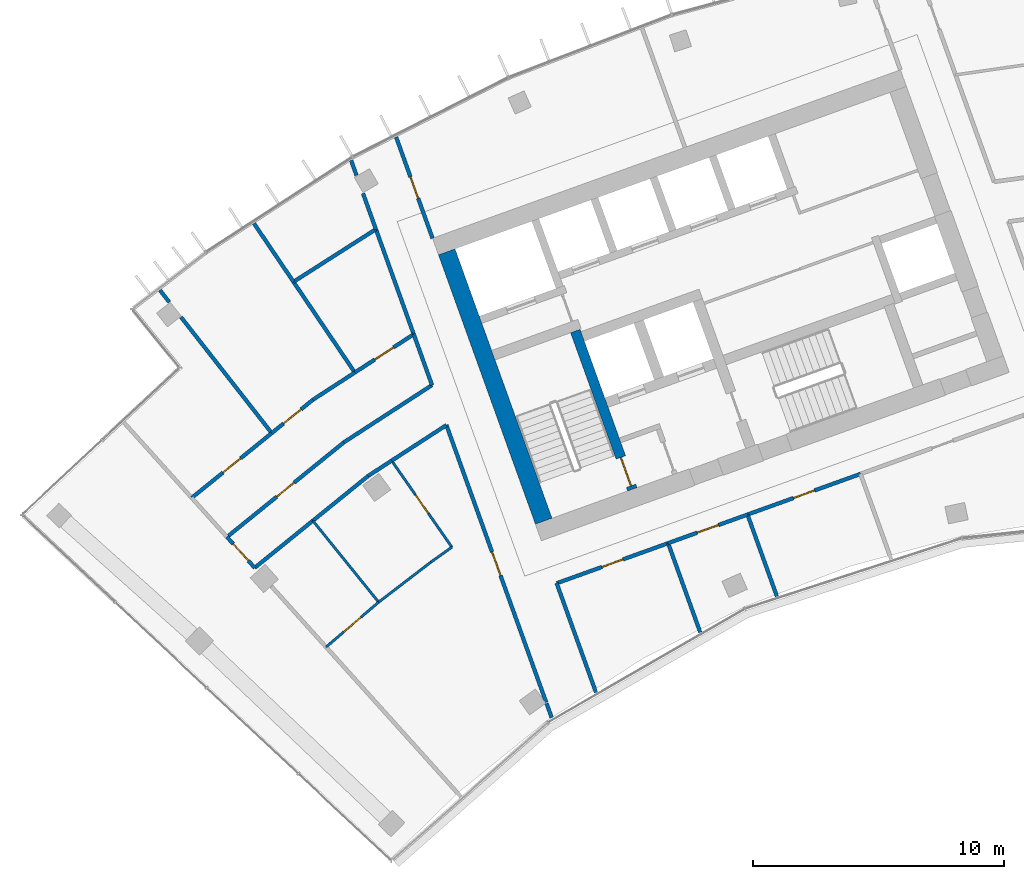
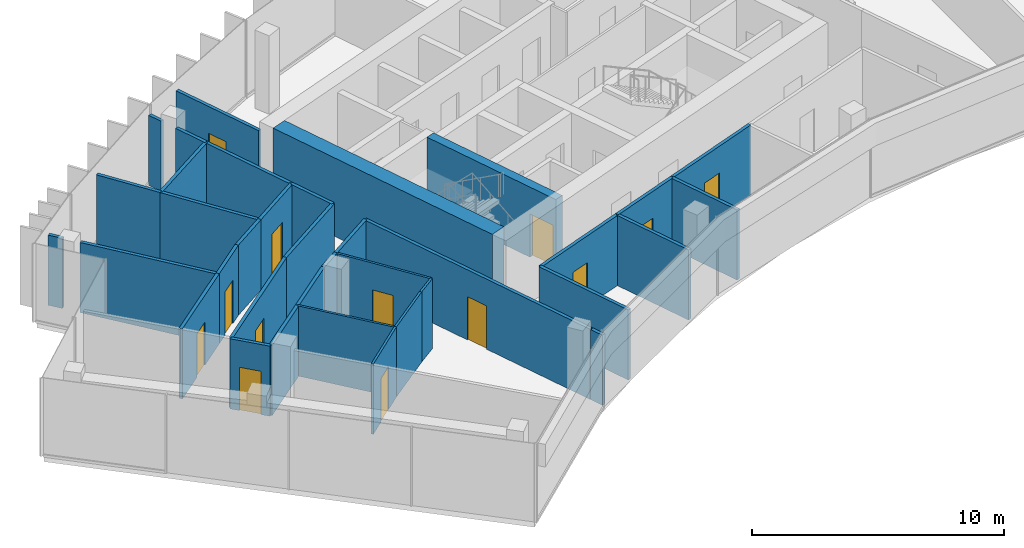
# One storey, part 13 of 19: 36 walls, 13 doors, 13 openings.
"""IFC4 building model written with IfcOpenShell, lengths in metres."""

from ifc_helpers import new_model, si_unit, direction, frame, frame_2d, origin, place, context, subcontext, project, spatial, rectangle, extrude, material, layer, layer_set, type_object, element, fill, save


model = new_model("IFC4")

# Units and contexts
model_context = context("Model", 3, precision=1e-05, world=origin(), true_north=direction((0.0, 1.0)))
body_context = subcontext(model_context, "Body", "Model", "MODEL_VIEW")
ifc_project = project(units=[si_unit("LENGTHUNIT", "METRE"), si_unit("AREAUNIT", "SQUARE_METRE"), si_unit("VOLUMEUNIT", "CUBIC_METRE"), si_unit("PLANEANGLEUNIT", "RADIAN"), si_unit("MASSUNIT", "GRAM", prefix="KILO")], contexts=[model_context])

# Site, building, storey
site_placement = place(None, origin())
site = spatial("IfcSite", under=ifc_project, at=site_placement, CompositionType="ELEMENT")
building_placement = place(site_placement, origin())
building = spatial("IfcBuilding", under=site, at=building_placement, Name="Stone Belt Terrace Tower", CompositionType="ELEMENT")
storey_placement = place(building_placement, frame((0.0, 0.0, 303.60009765625)))
storey = spatial("IfcBuildingStorey", under=building, at=storey_placement, Name="L74", CompositionType="ELEMENT", Elevation=303.60009765625)

# Wall
ifc_material_1 = material(Name="Concrete B60", Category="concrete")
ifc_layer_1 = layer(ifc_material_1, 0.699951171875)
ifc_layer_set_1 = layer_set([ifc_layer_1], Name="Core wall 700 B60")
wall_type_1 = type_object("IfcWallType", Name="Core wall 700 B60", PredefinedType="SHEAR", material=ifc_layer_set_1)
wall_1_placement = place(storey_placement, frame((-25.679931640625, 43.153564453125, 0.0), z_axis=(0.0, 0.0, 1.0), x_axis=(-0.338625431531, 0.940921259788, 0.0)))
element("IfcWall", 1, at=wall_1_placement, inside=storey, type_object=wall_type_1, Name="Core A wall end_a L74", PredefinedType="SHEAR", context=body_context, shape_type="SweptSolid", body=[
    extrude(rectangle(XDim=11.400146484375, YDim=0.699951171875, at=frame_2d((5.7001953125, 0.0))), origin(), (0.0, 0.0, 1.0), 3.7998046875),
])

# Wall, opening, door
ifc_material_2 = material(Name="Gypsum board partition")
ifc_layer_2 = layer(ifc_material_2, 0.10009765625)
ifc_layer_set_2 = layer_set([ifc_layer_2], Name="PARTITION 100")
wall_type_2 = type_object("IfcWallType", Name="PARTITION 100", PredefinedType="PARTITIONING", material=ifc_layer_set_2)
wall_2_placement = place(storey_placement, frame((-34.345947265625, 38.14501953125, 0.0), z_axis=(0.0, 0.0, 1.0), x_axis=(0.760714101822, 0.649087093763, 0.0)))
wall_2 = element("IfcWall", 2, at=wall_2_placement, inside=storey, type_object=wall_type_2, Name="L74/wall/i053", PredefinedType="PARTITIONING", context=body_context, shape_type="SweptSolid", body=[
    extrude(rectangle(XDim=2.75146484375, YDim=0.10009765625, at=frame_2d((1.375732421875, 0.0))), origin(), (0.0, 0.0, 1.0), 3.39990234375),
])
opening_1_placement = place(wall_2_placement, frame((0.92578125, 0.0, 0.0)))
opening_1 = element("IfcOpeningElement", 3, at=opening_1_placement, cuts=wall_2, Name="Opening D-E5-15", PredefinedType="OPENING", context=body_context, shape_type="SweptSolid", body=[
    extrude(rectangle(XDim=0.89990234375, YDim=2.10009765625, at=frame_2d((0.449951171875, 1.050048828125))), frame((0.0, 0.06005859375, 0.0), z_axis=(0.0, -1.0, 0.0), x_axis=(1.0, 0.0, 0.0)), (0.0, 0.0, 1.0), 0.1201171875),
])
ifc_material_3 = material(Name="Timber door leaf", Category="wood")
door_type_1 = type_object("IfcDoorType", Name="OFFICE DOOR 900 X 2100", OperationType="NOTDEFINED", PredefinedType="DOOR", material=ifc_material_3)
door_1_placement = place(opening_1_placement, origin())
door_1 = element("IfcDoor", 4, at=door_1_placement, inside=storey, type_object=door_type_1, Name="L74/door/i15", OperationType="SINGLE_SWING_RIGHT", OverallHeight=2.10009765625, OverallWidth=0.89990234375, PredefinedType="DOOR", context=body_context, shape_type="SweptSolid", body=[
    extrude(rectangle(XDim=0.89990234375, YDim=2.10009765625, at=frame_2d((0.449951171875, 1.050048828125))), frame((0.0, 0.02490234375, 0.0), z_axis=(0.0, -1.0, 0.0), x_axis=(1.0, 0.0, 0.0)), (0.0, 0.0, 1.0), 0.050048828125),
])
fill(opening_1, door_1)

# Walls
wall_3_placement = place(storey_placement, frame((-32.2529296875, 39.930908203125, 0.0), z_axis=(0.0, 0.0, 1.0), x_axis=(0.793612352495, 0.608423728965, 0.0)))
element("IfcWall", 5, at=wall_3_placement, inside=storey, type_object=wall_type_2, Name="L74/wall/i054", PredefinedType="PARTITIONING", context=body_context, shape_type="SweptSolid", body=[
    extrude(rectangle(XDim=2.62353515625, YDim=0.10009765625, at=frame_2d((1.311767578125, 0.0))), origin(), (0.0, 0.0, 1.0), 3.39990234375),
])
wall_4_placement = place(storey_placement, frame((-30.1708984375, 41.527099609375, 0.0), z_axis=(0.0, 0.0, 1.0), x_axis=(0.814842783231, 0.579682015088, 0.0)))
element("IfcWall", 6, at=wall_4_placement, inside=storey, type_object=wall_type_2, Name="L74/wall/i055", PredefinedType="PARTITIONING", context=body_context, shape_type="SweptSolid", body=[
    extrude(rectangle(XDim=1.024658203125, YDim=0.10009765625, at=frame_2d((0.51220703125, 0.0))), origin(), (0.0, 0.0, 1.0), 3.39990234375),
])

# Wall, opening, door
wall_5_placement = place(storey_placement, frame((-29.3359375, 42.12109375, 0.0), z_axis=(0.0, 0.0, 1.0), x_axis=(-0.571618252219, 0.820519697344, 0.0)))
wall_5 = element("IfcWall", 7, at=wall_5_placement, inside=storey, type_object=wall_type_2, Name="L74/wall/i056", PredefinedType="PARTITIONING", context=body_context, shape_type="SweptSolid", body=[
    extrude(rectangle(XDim=4.197265625, YDim=0.10009765625, at=frame_2d((2.0986328125, 0.0))), origin(), (0.0, 0.0, 1.0), 3.39990234375),
])
opening_2_placement = place(wall_5_placement, frame((1.648681640625, 0.0, 0.0)))
opening_2 = element("IfcOpeningElement", 8, at=opening_2_placement, cuts=wall_5, Name="Opening D-E5-16", PredefinedType="OPENING", context=body_context, shape_type="SweptSolid", body=[
    extrude(rectangle(XDim=0.89990234375, YDim=2.10009765625, at=frame_2d((0.449951171875, 1.050048828125))), frame((0.0, 0.06005859375, 0.0), z_axis=(0.0, -1.0, 0.0), x_axis=(1.0, 0.0, 0.0)), (0.0, 0.0, 1.0), 0.1201171875),
])
door_2_placement = place(opening_2_placement, origin())
door_2 = element("IfcDoor", 9, at=door_2_placement, inside=storey, type_object=door_type_1, Name="L74/door/i16", OperationType="SINGLE_SWING_RIGHT", OverallHeight=2.10009765625, OverallWidth=0.89990234375, PredefinedType="DOOR", context=body_context, shape_type="SweptSolid", body=[
    extrude(rectangle(XDim=0.89990234375, YDim=2.10009765625, at=frame_2d((0.449951171875, 1.050048828125))), frame((0.0, 0.02490234375, 0.0), z_axis=(0.0, -1.0, 0.0), x_axis=(1.0, 0.0, 0.0)), (0.0, 0.0, 1.0), 0.050048828125),
])
fill(opening_2, door_2)

# Walls
wall_6_placement = place(storey_placement, frame((-34.873046875, 43.174072265625, 0.0), z_axis=(0.0, 0.0, 1.0), x_axis=(0.628429786717, -0.777866314457, 0.0)))
element("IfcWall", 10, at=wall_6_placement, inside=storey, type_object=wall_type_2, Name="L74/wall/i057", PredefinedType="PARTITIONING", context=body_context, shape_type="SweptSolid", body=[
    extrude(rectangle(XDim=4.169189453125, YDim=0.10009765625, at=frame_2d((2.08447265625, 0.0))), origin(), (0.0, 0.0, 1.0), 3.39990234375),
])
ifc_layer_3 = layer(ifc_material_2, 0.14990234375)
ifc_layer_set_3 = layer_set([ifc_layer_3], Name="PARTITION 150 EI 60")
wall_type_3 = type_object("IfcWallType", Name="PARTITION 150 EI 60", PredefinedType="PARTITIONING", material=ifc_layer_set_3)
wall_7_placement = place(storey_placement, frame((-25.1650390625, 40.68896484375, 0.0), z_axis=(0.0, 0.0, 1.0), x_axis=(0.338609342271, -0.94092704995, 0.0)))
element("IfcWall", 11, at=wall_7_placement, inside=storey, type_object=wall_type_3, Name="L74/wall/i001", PredefinedType="PARTITIONING", context=body_context, shape_type="SweptSolid", body=[
    extrude(rectangle(XDim=4.6318359375, YDim=0.14990234375, at=frame_2d((2.31591796875, 0.0))), origin(), (0.0, 0.0, 1.0), 3.39990234375),
])

# Wall, opening, door
wall_8_placement = place(storey_placement, frame((-31.556884765625, 58.4521484375, 0.0), z_axis=(0.0, 0.0, 1.0), x_axis=(0.338580264222, -0.940937513695, 0.0)))
wall_8 = element("IfcWall", 12, at=wall_8_placement, inside=storey, type_object=wall_type_3, Name="L74/wall/i002", PredefinedType="PARTITIONING", context=body_context, shape_type="SweptSolid", body=[
    extrude(rectangle(XDim=4.285400390625, YDim=0.14990234375, at=frame_2d((2.142578125, 0.0))), origin(), (0.0, 0.0, 1.0), 3.39990234375),
])
opening_3_placement = place(wall_8_placement, frame((1.692626953125, 0.0, 0.0)))
opening_3 = element("IfcOpeningElement", 13, at=opening_3_placement, cuts=wall_8, Name="Opening D-E5-05", PredefinedType="OPENING", context=body_context, shape_type="SweptSolid", body=[
    extrude(rectangle(XDim=0.89990234375, YDim=2.10009765625, at=frame_2d((0.449951171875, 1.050048828125))), frame((0.0, 0.0849609375, 0.0), z_axis=(0.0, -1.0, 0.0), x_axis=(1.0, 0.0, 0.0)), (0.0, 0.0, 1.0), 0.169921875),
])
door_3_placement = place(opening_3_placement, origin())
door_3 = element("IfcDoor", 14, at=door_3_placement, inside=storey, type_object=door_type_1, Name="L74/door/i05", OperationType="SINGLE_SWING_RIGHT", OverallHeight=2.10009765625, OverallWidth=0.89990234375, PredefinedType="DOOR", context=body_context, shape_type="SweptSolid", body=[
    extrude(rectangle(XDim=0.89990234375, YDim=2.10009765625, at=frame_2d((0.449951171875, 1.050048828125))), frame((0.0, 0.02490234375, 0.0), z_axis=(0.0, -1.0, 0.0), x_axis=(1.0, 0.0, 0.0)), (0.0, 0.0, 1.0), 0.050048828125),
])
fill(opening_3, door_3)

# Wall
wall_9_placement = place(storey_placement, frame((-25.361083984375, 35.329833984375, 0.0), z_axis=(0.0, 0.0, 1.0), x_axis=(-0.338633814852, 0.940918242696, 0.0)))
element("IfcWall", 15, at=wall_9_placement, inside=storey, type_object=wall_type_3, Name="L74/wall/i003", PredefinedType="PARTITIONING", context=body_context, shape_type="SweptSolid", body=[
    extrude(rectangle(XDim=0.605712890625, YDim=0.14990234375, at=frame_2d((0.302734375, 0.0))), origin(), (0.0, 0.0, 1.0), 3.39990234375),
])

# Wall, opening, door
wall_10_placement = place(storey_placement, frame((-25.5810546875, 35.94091796875, 0.0), z_axis=(0.0, 0.0, 1.0), x_axis=(-0.338660555828, 0.940908618265, 0.0)))
wall_10 = element("IfcWall", 16, at=wall_10_placement, inside=storey, type_object=wall_type_3, Name="L74/wall/i004", PredefinedType="PARTITIONING", context=body_context, shape_type="SweptSolid", body=[
    extrude(rectangle(XDim=11.73974609375, YDim=0.14990234375, at=frame_2d((5.869873046875, 0.0))), origin(), (0.0, 0.0, 1.0), 3.39990234375),
])
opening_4_placement = place(wall_10_placement, frame((5.369873046875, 0.0, 0.0)))
opening_4 = element("IfcOpeningElement", 17, at=opening_4_placement, cuts=wall_10, Name="Opening D-E5-14", PredefinedType="OPENING", context=body_context, shape_type="SweptSolid", body=[
    extrude(rectangle(XDim=1.0, YDim=2.10009765625, at=frame_2d((0.5, 1.050048828125))), frame((0.0, 0.0849609375, 0.0), z_axis=(0.0, -1.0, 0.0), x_axis=(1.0, 0.0, 0.0)), (0.0, 0.0, 1.0), 0.169921875),
])
ifc_material_4 = material(Name="Timber fire door leaf", Category="wood")
door_type_2 = type_object("IfcDoorType", Name="TENANCY ENTRANCE DOOR 1000 X 2100", OperationType="NOTDEFINED", PredefinedType="DOOR", material=ifc_material_4)
door_4_placement = place(opening_4_placement, origin())
door_4 = element("IfcDoor", 18, at=door_4_placement, inside=storey, type_object=door_type_2, Name="L74/door/i14", OperationType="SINGLE_SWING_LEFT", OverallHeight=2.10009765625, OverallWidth=1.0, PredefinedType="DOOR", context=body_context, shape_type="SweptSolid", body=[
    extrude(rectangle(XDim=1.0, YDim=2.10009765625, at=frame_2d((0.5, 1.050048828125))), frame((0.0, 0.02490234375, 0.0), z_axis=(0.0, -1.0, 0.0), x_axis=(1.0, 0.0, 0.0)), (0.0, 0.0, 1.0), 0.050048828125),
])
fill(opening_4, door_4)

# Walls
wall_11_placement = place(storey_placement, frame((-30.1259765625, 48.568115234375, 0.0), z_axis=(0.0, 0.0, 1.0), x_axis=(-0.338315840616, 0.941032620045, 0.0)))
element("IfcWall", 19, at=wall_11_placement, inside=storey, type_object=wall_type_3, Name="L74/wall/i005", PredefinedType="PARTITIONING", context=body_context, shape_type="SweptSolid", body=[
    extrude(rectangle(XDim=2.16357421875, YDim=0.14990234375, at=frame_2d((1.081787109375, 0.0))), origin(), (0.0, 0.0, 1.0), 3.39990234375),
])
wall_12_placement = place(storey_placement, frame((-30.85400390625, 50.592041015625, 0.0), z_axis=(0.0, 0.0, 1.0), x_axis=(-0.338676809605, 0.940902767897, 0.0)))
element("IfcWall", 20, at=wall_12_placement, inside=storey, type_object=wall_type_3, Name="L74/wall/i006", PredefinedType="PARTITIONING", context=body_context, shape_type="SweptSolid", body=[
    extrude(rectangle(XDim=4.45849609375, YDim=0.14990234375, at=frame_2d((2.229248046875, 0.0))), origin(), (0.0, 0.0, 1.0), 3.39990234375),
])
wall_13_placement = place(storey_placement, frame((-32.360107421875, 54.77490234375, 0.0), z_axis=(0.0, 0.0, 1.0), x_axis=(-0.338469522462, 0.940977354863, 0.0)))
element("IfcWall", 21, at=wall_13_placement, inside=storey, type_object=wall_type_3, Name="L74/wall/i007", PredefinedType="PARTITIONING", context=body_context, shape_type="SweptSolid", body=[
    extrude(rectangle(XDim=1.52197265625, YDim=0.14990234375, at=frame_2d((0.760986328125, 0.0))), origin(), (0.0, 0.0, 1.0), 3.39990234375),
])
wall_14_placement = place(storey_placement, frame((-33.134765625, 56.928466796875, 0.0), z_axis=(0.0, 0.0, 1.0), x_axis=(-0.338733145318, 0.94088248802, 0.0)))
element("IfcWall", 22, at=wall_14_placement, inside=storey, type_object=wall_type_3, Name="L74/wall/i008", PredefinedType="PARTITIONING", context=body_context, shape_type="SweptSolid", body=[
    extrude(rectangle(XDim=0.632080078125, YDim=0.14990234375, at=frame_2d((0.31591796875, 0.0))), origin(), (0.0, 0.0, 1.0), 3.39990234375),
])

# Wall, opening, door
wall_15_placement = place(storey_placement, frame((-20.719970703125, 42.281982421875, 0.0), z_axis=(0.0, 0.0, 1.0), x_axis=(-0.94093090438, -0.338598631396, 0.0)))
wall_15 = element("IfcWall", 23, at=wall_15_placement, inside=storey, type_object=wall_type_3, Name="L74/wall/i015", PredefinedType="PARTITIONING", context=body_context, shape_type="SweptSolid", body=[
    extrude(rectangle(XDim=4.721923828125, YDim=0.14990234375, at=frame_2d((2.36083984375, 0.0))), origin(), (0.0, 0.0, 1.0), 3.39990234375),
])
opening_5_placement = place(wall_15_placement, frame((1.910888671875, 0.0, 0.0)))
opening_5 = element("IfcOpeningElement", 24, at=opening_5_placement, cuts=wall_15, Name="Opening D-E5-01", PredefinedType="OPENING", context=body_context, shape_type="SweptSolid", body=[
    extrude(rectangle(XDim=0.89990234375, YDim=2.10009765625, at=frame_2d((0.449951171875, 1.050048828125))), frame((0.0, 0.0849609375, 0.0), z_axis=(0.0, -1.0, 0.0), x_axis=(1.0, 0.0, 0.0)), (0.0, 0.0, 1.0), 0.169921875),
])
door_5_placement = place(opening_5_placement, origin())
door_5 = element("IfcDoor", 25, at=door_5_placement, inside=storey, type_object=door_type_1, Name="L74/door/i01", OperationType="SINGLE_SWING_RIGHT", OverallHeight=2.10009765625, OverallWidth=0.89990234375, PredefinedType="DOOR", context=body_context, shape_type="SweptSolid", body=[
    extrude(rectangle(XDim=0.89990234375, YDim=2.10009765625, at=frame_2d((0.449951171875, 1.050048828125))), frame((0.0, 0.02490234375, 0.0), z_axis=(0.0, -1.0, 0.0), x_axis=(1.0, 0.0, 0.0)), (0.0, 0.0, 1.0), 0.050048828125),
])
fill(opening_5, door_5)

wall_16_placement = place(storey_placement, frame((-17.56005859375, 43.419921875, 0.0), z_axis=(0.0, 0.0, 1.0), x_axis=(-0.940890181469, -0.338711774841, 0.0)))
wall_16 = element("IfcWall", 26, at=wall_16_placement, inside=storey, type_object=wall_type_3, Name="L74/wall/i016", PredefinedType="PARTITIONING", context=body_context, shape_type="SweptSolid", body=[
    extrude(rectangle(XDim=3.37109375, YDim=0.14990234375, at=frame_2d((1.685546875, 0.0))), origin(), (0.0, 0.0, 1.0), 3.39990234375),
])
opening_6_placement = place(wall_16_placement, frame((1.235595703125, 0.0, 0.0)))
opening_6 = element("IfcOpeningElement", 27, at=opening_6_placement, cuts=wall_16, Name="Opening D-E5-02", PredefinedType="OPENING", context=body_context, shape_type="SweptSolid", body=[
    extrude(rectangle(XDim=0.89990234375, YDim=2.10009765625, at=frame_2d((0.449951171875, 1.050048828125))), frame((0.0, 0.0849609375, 0.0), z_axis=(0.0, -1.0, 0.0), x_axis=(1.0, 0.0, 0.0)), (0.0, 0.0, 1.0), 0.169921875),
])
door_6_placement = place(opening_6_placement, origin())
door_6 = element("IfcDoor", 28, at=door_6_placement, inside=storey, type_object=door_type_1, Name="L74/door/i02", OperationType="SINGLE_SWING_RIGHT", OverallHeight=2.10009765625, OverallWidth=0.89990234375, PredefinedType="DOOR", context=body_context, shape_type="SweptSolid", body=[
    extrude(rectangle(XDim=0.89990234375, YDim=2.10009765625, at=frame_2d((0.449951171875, 1.050048828125))), frame((0.0, 0.02490234375, 0.0), z_axis=(0.0, -1.0, 0.0), x_axis=(1.0, 0.0, 0.0)), (0.0, 0.0, 1.0), 0.050048828125),
])
fill(opening_6, door_6)

wall_17_placement = place(storey_placement, frame((-13.06103515625, 45.0390625, 0.0), z_axis=(0.0, 0.0, 1.0), x_axis=(-0.94092441718, -0.338616658118, 0.0)))
wall_17 = element("IfcWall", 29, at=wall_17_placement, inside=storey, type_object=wall_type_3, Name="L74/wall/i017", PredefinedType="PARTITIONING", context=body_context, shape_type="SweptSolid", body=[
    extrude(rectangle(XDim=4.793212890625, YDim=0.14990234375, at=frame_2d((2.396484375, 0.0))), origin(), (0.0, 0.0, 1.0), 3.39990234375),
])
opening_7_placement = place(wall_17_placement, frame((1.946533203125, 0.0, 0.0)))
opening_7 = element("IfcOpeningElement", 30, at=opening_7_placement, cuts=wall_17, Name="Opening D-E5-03", PredefinedType="OPENING", context=body_context, shape_type="SweptSolid", body=[
    extrude(rectangle(XDim=0.89990234375, YDim=2.10009765625, at=frame_2d((0.449951171875, 1.050048828125))), frame((0.0, 0.0849609375, 0.0), z_axis=(0.0, -1.0, 0.0), x_axis=(1.0, 0.0, 0.0)), (0.0, 0.0, 1.0), 0.169921875),
])
door_7_placement = place(opening_7_placement, origin())
door_7 = element("IfcDoor", 31, at=door_7_placement, inside=storey, type_object=door_type_1, Name="L74/door/i03", OperationType="SINGLE_SWING_RIGHT", OverallHeight=2.10009765625, OverallWidth=0.89990234375, PredefinedType="DOOR", context=body_context, shape_type="SweptSolid", body=[
    extrude(rectangle(XDim=0.89990234375, YDim=2.10009765625, at=frame_2d((0.449951171875, 1.050048828125))), frame((0.0, 0.02490234375, 0.0), z_axis=(0.0, -1.0, 0.0), x_axis=(1.0, 0.0, 0.0)), (0.0, 0.0, 1.0), 0.050048828125),
])
fill(opening_7, door_7)

# Walls
wall_18_placement = place(storey_placement, frame((-20.72607421875, 42.280029296875, 0.0), z_axis=(0.0, 0.0, 1.0), x_axis=(0.338751516989, -0.940875873714, 0.0)))
element("IfcWall", 32, at=wall_18_placement, inside=storey, type_object=wall_type_3, Name="L74/wall/i019", PredefinedType="PARTITIONING", context=body_context, shape_type="SweptSolid", body=[
    extrude(rectangle(XDim=3.776611328125, YDim=0.14990234375, at=frame_2d((1.88818359375, 0.0))), origin(), (0.0, 0.0, 1.0), 3.39990234375),
])
wall_19_placement = place(storey_placement, frame((-17.56494140625, 43.4169921875, 0.0), z_axis=(0.0, 0.0, 1.0), x_axis=(0.338494573949, -0.940968343467, 0.0)))
element("IfcWall", 33, at=wall_19_placement, inside=storey, type_object=wall_type_3, Name="L74/wall/i020", PredefinedType="PARTITIONING", context=body_context, shape_type="SweptSolid", body=[
    extrude(rectangle(XDim=3.4599609375, YDim=0.14990234375, at=frame_2d((1.72998046875, 0.0))), origin(), (0.0, 0.0, 1.0), 3.39990234375),
])

# Wall, opening, door
wall_20_placement = place(storey_placement, frame((-37.18310546875, 41.294921875, 0.0), z_axis=(0.0, 0.0, 1.0), x_axis=(-0.669037778615, 0.743228397456, 0.0)))
wall_20 = element("IfcWall", 34, at=wall_20_placement, inside=storey, type_object=wall_type_3, Name="L74/wall/i042", PredefinedType="PARTITIONING", context=body_context, shape_type="SweptSolid", body=[
    extrude(rectangle(XDim=1.661865234375, YDim=0.14990234375, at=frame_2d((0.8310546875, 0.0))), origin(), (0.0, 0.0, 1.0), 3.39990234375),
])
opening_8_placement = place(wall_20_placement, frame((0.380859375, 0.0, 0.0)))
opening_8 = element("IfcOpeningElement", 35, at=opening_8_placement, cuts=wall_20, Name="Opening D-E5-13", PredefinedType="OPENING", context=body_context, shape_type="SweptSolid", body=[
    extrude(rectangle(XDim=0.89990234375, YDim=2.10009765625, at=frame_2d((0.449951171875, 1.050048828125))), frame((0.0, 0.0849609375, 0.0), z_axis=(0.0, -1.0, 0.0), x_axis=(1.0, 0.0, 0.0)), (0.0, 0.0, 1.0), 0.169921875),
])
door_8_placement = place(opening_8_placement, origin())
door_8 = element("IfcDoor", 36, at=door_8_placement, inside=storey, type_object=door_type_1, Name="L74/door/i13", OperationType="SINGLE_SWING_RIGHT", OverallHeight=2.10009765625, OverallWidth=0.89990234375, PredefinedType="DOOR", context=body_context, shape_type="SweptSolid", body=[
    extrude(rectangle(XDim=0.89990234375, YDim=2.10009765625, at=frame_2d((0.449951171875, 1.050048828125))), frame((0.0, 0.02490234375, 0.0), z_axis=(0.0, -1.0, 0.0), x_axis=(1.0, 0.0, 0.0)), (0.0, 0.0, 1.0), 0.050048828125),
])
fill(opening_8, door_8)

# Walls
wall_21_placement = place(storey_placement, frame((-29.554931640625, 46.98095703125, 0.0), z_axis=(0.0, 0.0, 1.0), x_axis=(-0.838679041063, -0.544625987336, 0.0)))
element("IfcWall", 37, at=wall_21_placement, inside=storey, type_object=wall_type_3, Name="L74/wall/i047", PredefinedType="PARTITIONING", context=body_context, shape_type="SweptSolid", body=[
    extrude(rectangle(XDim=2.60546875, YDim=0.14990234375, at=frame_2d((1.302734375, 0.0))), origin(), (0.0, 0.0, 1.0), 3.39990234375),
])
wall_22_placement = place(storey_placement, frame((-34.867919921875, 43.177978515625, 0.0), z_axis=(0.0, 0.0, 1.0), x_axis=(-0.777151504494, -0.629313545907, 0.0)))
element("IfcWall", 38, at=wall_22_placement, inside=storey, type_object=wall_type_3, Name="L74/wall/i048", PredefinedType="PARTITIONING", context=body_context, shape_type="SweptSolid", body=[
    extrude(rectangle(XDim=2.984130859375, YDim=0.14990234375, at=frame_2d((1.4921875, 0.0))), origin(), (0.0, 0.0, 1.0), 3.39990234375),
])
wall_23_placement = place(storey_placement, frame((-31.72998046875, 45.568115234375, 0.0), z_axis=(0.0, 0.0, 1.0), x_axis=(-0.838953186683, -0.544203592927, 0.0)))
element("IfcWall", 39, at=wall_23_placement, inside=storey, type_object=wall_type_3, Name="L74/wall/i049", PredefinedType="PARTITIONING", context=body_context, shape_type="SweptSolid", body=[
    extrude(rectangle(XDim=1.11572265625, YDim=0.14990234375, at=frame_2d((0.557861328125, 0.0))), origin(), (0.0, 0.0, 1.0), 3.39990234375),
])
wall_24_placement = place(storey_placement, frame((-32.666015625, 44.9609375, 0.0), z_axis=(0.0, 0.0, 1.0), x_axis=(-0.77717295087, -0.629287060439, 0.0)))
element("IfcWall", 40, at=wall_24_placement, inside=storey, type_object=wall_type_3, Name="L74/wall/i050", PredefinedType="PARTITIONING", context=body_context, shape_type="SweptSolid", body=[
    extrude(rectangle(XDim=2.84619140625, YDim=0.14990234375, at=frame_2d((1.423095703125, 0.0))), origin(), (0.0, 0.0, 1.0), 3.39990234375),
])

# Wall, opening, door
wall_25_placement = place(storey_placement, frame((-38.291015625, 42.52587890625, 0.0), z_axis=(0.0, 0.0, 1.0), x_axis=(0.777109127033, 0.629365875054, 0.0)))
wall_25 = element("IfcWall", 41, at=wall_25_placement, inside=storey, type_object=wall_type_3, Name="L74/wall/i051", PredefinedType="PARTITIONING", context=body_context, shape_type="SweptSolid", body=[
    extrude(rectangle(XDim=5.990234375, YDim=0.14990234375, at=frame_2d((2.9951171875, 0.0))), origin(), (0.0, 0.0, 1.0), 3.39990234375),
])
opening_9_placement = place(wall_25_placement, frame((2.545166015625, 0.0, 0.0)))
opening_9 = element("IfcOpeningElement", 42, at=opening_9_placement, cuts=wall_25, Name="Opening D-E5-17", PredefinedType="OPENING", context=body_context, shape_type="SweptSolid", body=[
    extrude(rectangle(XDim=0.89990234375, YDim=2.10009765625, at=frame_2d((0.449951171875, 1.050048828125))), frame((0.0, 0.0849609375, 0.0), z_axis=(0.0, -1.0, 0.0), x_axis=(1.0, 0.0, 0.0)), (0.0, 0.0, 1.0), 0.169921875),
])
door_9_placement = place(opening_9_placement, origin())
door_9 = element("IfcDoor", 43, at=door_9_placement, inside=storey, type_object=door_type_1, Name="L74/door/i17", OperationType="SINGLE_SWING_RIGHT", OverallHeight=2.10009765625, OverallWidth=0.89990234375, PredefinedType="DOOR", context=body_context, shape_type="SweptSolid", body=[
    extrude(rectangle(XDim=0.89990234375, YDim=2.10009765625, at=frame_2d((0.449951171875, 1.050048828125))), frame((0.0, 0.02490234375, 0.0), z_axis=(0.0, -1.0, 0.0), x_axis=(1.0, 0.0, 0.0)), (0.0, 0.0, 1.0), 0.050048828125),
])
fill(opening_9, door_9)

# Wall
wall_26_placement = place(storey_placement, frame((-33.635986328125, 46.2958984375, 0.0), z_axis=(0.0, 0.0, 1.0), x_axis=(0.838679571288, 0.544625170832, 0.0)))
element("IfcWall", 44, at=wall_26_placement, inside=storey, type_object=wall_type_3, Name="L74/wall/i052", PredefinedType="PARTITIONING", context=body_context, shape_type="SweptSolid", body=[
    extrude(rectangle(XDim=4.182861328125, YDim=0.14990234375, at=frame_2d((2.09130859375, 0.0))), origin(), (0.0, 0.0, 1.0), 3.39990234375),
])

# Wall, opening, door
wall_27_placement = place(storey_placement, frame((-39.694091796875, 44.0849609375, 0.0), z_axis=(0.0, 0.0, 1.0), x_axis=(0.777210230824, 0.629241016703, 0.0)))
wall_27 = element("IfcWall", 45, at=wall_27_placement, inside=storey, type_object=wall_type_3, Name="L74/wall/i058", PredefinedType="PARTITIONING", context=body_context, shape_type="SweptSolid", body=[
    extrude(rectangle(XDim=4.103515625, YDim=0.14990234375, at=frame_2d((2.0517578125, 0.0))), origin(), (0.0, 0.0, 1.0), 3.39990234375),
])
opening_10_placement = place(wall_27_placement, frame((1.6015625, 0.0, 0.0)))
opening_10 = element("IfcOpeningElement", 46, at=opening_10_placement, cuts=wall_27, Name="Opening D-E5-18", PredefinedType="OPENING", context=body_context, shape_type="SweptSolid", body=[
    extrude(rectangle(XDim=0.89990234375, YDim=2.10009765625, at=frame_2d((0.449951171875, 1.050048828125))), frame((0.0, 0.0849609375, 0.0), z_axis=(0.0, -1.0, 0.0), x_axis=(1.0, 0.0, 0.0)), (0.0, 0.0, 1.0), 0.169921875),
])
door_10_placement = place(opening_10_placement, origin())
door_10 = element("IfcDoor", 47, at=door_10_placement, inside=storey, type_object=door_type_1, Name="L74/door/i18", OperationType="SINGLE_SWING_RIGHT", OverallHeight=2.10009765625, OverallWidth=0.89990234375, PredefinedType="DOOR", context=body_context, shape_type="SweptSolid", body=[
    extrude(rectangle(XDim=0.89990234375, YDim=2.10009765625, at=frame_2d((0.449951171875, 1.050048828125))), frame((0.0, 0.02490234375, 0.0), z_axis=(0.0, -1.0, 0.0), x_axis=(1.0, 0.0, 0.0)), (0.0, 0.0, 1.0), 0.050048828125),
])
fill(opening_10, door_10)

wall_28_placement = place(storey_placement, frame((-36.513916015625, 46.659912109375, 0.0), z_axis=(0.0, 0.0, 1.0), x_axis=(0.777164283985, 0.629297763939, 0.0)))
wall_28 = element("IfcWall", 48, at=wall_28_placement, inside=storey, type_object=wall_type_3, Name="L74/wall/i059", PredefinedType="PARTITIONING", context=body_context, shape_type="SweptSolid", body=[
    extrude(rectangle(XDim=2.11669921875, YDim=0.14990234375, at=frame_2d((1.058349609375, 0.0))), origin(), (0.0, 0.0, 1.0), 3.39990234375),
])
opening_11_placement = place(wall_28_placement, frame((0.6083984375, 0.0, 0.0)))
opening_11 = element("IfcOpeningElement", 49, at=opening_11_placement, cuts=wall_28, Name="Opening D-E5-19", PredefinedType="OPENING", context=body_context, shape_type="SweptSolid", body=[
    extrude(rectangle(XDim=0.89990234375, YDim=2.10009765625, at=frame_2d((0.449951171875, 1.050048828125))), frame((0.0, 0.0849609375, 0.0), z_axis=(0.0, -1.0, 0.0), x_axis=(1.0, 0.0, 0.0)), (0.0, 0.0, 1.0), 0.169921875),
])
door_11_placement = place(opening_11_placement, origin())
door_11 = element("IfcDoor", 50, at=door_11_placement, inside=storey, type_object=door_type_1, Name="L74/door/i19", OperationType="SINGLE_SWING_RIGHT", OverallHeight=2.10009765625, OverallWidth=0.89990234375, PredefinedType="DOOR", context=body_context, shape_type="SweptSolid", body=[
    extrude(rectangle(XDim=0.89990234375, YDim=2.10009765625, at=frame_2d((0.449951171875, 1.050048828125))), frame((0.0, 0.02490234375, 0.0), z_axis=(0.0, -1.0, 0.0), x_axis=(1.0, 0.0, 0.0)), (0.0, 0.0, 1.0), 0.050048828125),
])
fill(opening_11, door_11)

# Wall
wall_29_placement = place(storey_placement, frame((-34.868896484375, 47.991943359375, 0.0), z_axis=(0.0, 0.0, 1.0), x_axis=(0.838767892149, 0.544489139562, 0.0)))
element("IfcWall", 51, at=wall_29_placement, inside=storey, type_object=wall_type_3, Name="L74/wall/i060", PredefinedType="PARTITIONING", context=body_context, shape_type="SweptSolid", body=[
    extrude(rectangle(XDim=1.994384765625, YDim=0.14990234375, at=frame_2d((0.9970703125, 0.0))), origin(), (0.0, 0.0, 1.0), 3.39990234375),
])

# Wall, opening, door
wall_30_placement = place(storey_placement, frame((-33.2060546875, 49.072021484375, 0.0), z_axis=(0.0, 0.0, 1.0), x_axis=(0.838718223529, 0.544565644822, 0.0)))
wall_30 = element("IfcWall", 52, at=wall_30_placement, inside=storey, type_object=wall_type_3, Name="L74/wall/i061", PredefinedType="PARTITIONING", context=body_context, shape_type="SweptSolid", body=[
    extrude(rectangle(XDim=2.802001953125, YDim=0.14990234375, at=frame_2d((1.40087890625, 0.0))), origin(), (0.0, 0.0, 1.0), 3.39990234375),
])
opening_12_placement = place(wall_30_placement, frame((0.950927734375, 0.0, 0.0)))
opening_12 = element("IfcOpeningElement", 53, at=opening_12_placement, cuts=wall_30, Name="Opening D-E5-20", PredefinedType="OPENING", context=body_context, shape_type="SweptSolid", body=[
    extrude(rectangle(XDim=0.89990234375, YDim=2.10009765625, at=frame_2d((0.449951171875, 1.050048828125))), frame((0.0, 0.0849609375, 0.0), z_axis=(0.0, -1.0, 0.0), x_axis=(1.0, 0.0, 0.0)), (0.0, 0.0, 1.0), 0.169921875),
])
door_12_placement = place(opening_12_placement, origin())
door_12 = element("IfcDoor", 54, at=door_12_placement, inside=storey, type_object=door_type_1, Name="L74/door/i20", OperationType="SINGLE_SWING_RIGHT", OverallHeight=2.10009765625, OverallWidth=0.89990234375, PredefinedType="DOOR", context=body_context, shape_type="SweptSolid", body=[
    extrude(rectangle(XDim=0.89990234375, YDim=2.10009765625, at=frame_2d((0.449951171875, 1.050048828125))), frame((0.0, 0.02490234375, 0.0), z_axis=(0.0, -1.0, 0.0), x_axis=(1.0, 0.0, 0.0)), (0.0, 0.0, 1.0), 0.050048828125),
])
fill(opening_12, door_12)

# Walls
wall_31_placement = place(storey_placement, frame((-40.963623046875, 52.356689453125, 0.0), z_axis=(0.0, 0.0, 1.0), x_axis=(0.616134966401, -0.787640592642, 0.0)))
element("IfcWall", 55, at=wall_31_placement, inside=storey, type_object=wall_type_3, Name="L74/wall/i062", PredefinedType="PARTITIONING", context=body_context, shape_type="SweptSolid", body=[
    extrude(rectangle(XDim=0.60791015625, YDim=0.14990234375, at=frame_2d((0.303955078125, 0.0))), origin(), (0.0, 0.0, 1.0), 3.39990234375),
])
wall_32_placement = place(storey_placement, frame((-40.120849609375, 51.279541015625, 0.0), z_axis=(0.0, 0.0, 1.0), x_axis=(0.616173451087, -0.787610486329, 0.0)))
element("IfcWall", 56, at=wall_32_placement, inside=storey, type_object=wall_type_3, Name="L74/wall/i063", PredefinedType="PARTITIONING", context=body_context, shape_type="SweptSolid", body=[
    extrude(rectangle(XDim=5.860107421875, YDim=0.14990234375, at=frame_2d((2.93017578125, 0.0))), origin(), (0.0, 0.0, 1.0), 3.39990234375),
])
wall_33_placement = place(storey_placement, frame((-35.64697265625, 52.69091796875, 0.0), z_axis=(0.0, 0.0, 1.0), x_axis=(0.560301468636, -0.82828875656, 0.0)))
element("IfcWall", 57, at=wall_33_placement, inside=storey, type_object=wall_type_3, Name="L74/wall/i064", PredefinedType="PARTITIONING", context=body_context, shape_type="SweptSolid", body=[
    extrude(rectangle(XDim=4.365478515625, YDim=0.14990234375, at=frame_2d((2.1826171875, 0.0))), origin(), (0.0, 0.0, 1.0), 3.39990234375),
])
wall_34_placement = place(storey_placement, frame((-37.218017578125, 55.013916015625, 0.0), z_axis=(0.0, 0.0, 1.0), x_axis=(0.56028837955, -0.828297610609, 0.0)))
element("IfcWall", 58, at=wall_34_placement, inside=storey, type_object=wall_type_3, Name="L74/wall/i065", PredefinedType="PARTITIONING", context=body_context, shape_type="SweptSolid", body=[
    extrude(rectangle(XDim=2.816650390625, YDim=0.14990234375, at=frame_2d((1.408203125, 0.0))), origin(), (0.0, 0.0, 1.0), 3.39990234375),
])
wall_35_placement = place(storey_placement, frame((-35.64404296875, 52.68603515625, 0.0), z_axis=(0.0, 0.0, 1.0), x_axis=(0.842911923686, 0.538051567146, 0.0)))
element("IfcWall", 59, at=wall_35_placement, inside=storey, type_object=wall_type_3, Name="L74/wall/i066", PredefinedType="PARTITIONING", context=body_context, shape_type="SweptSolid", body=[
    extrude(rectangle(XDim=3.8935546875, YDim=0.14990234375, at=frame_2d((1.94677734375, 0.0))), origin(), (0.0, 0.0, 1.0), 3.39990234375),
])

# Wall, opening, door
ifc_material_5 = material(Name="Concrete B80", Category="concrete")
ifc_layer_4 = layer(ifc_material_5, 0.39990234375)
ifc_layer_set_4 = layer_set([ifc_layer_4], Name="Stair enclosure wall 400")
wall_type_4 = type_object("IfcWallType", Name="Stair enclosure wall 400", PredefinedType="SHEAR", material=ifc_layer_set_4)
wall_36_placement = place(storey_placement, frame((-22.151611328125, 44.42333984375, 0.0), z_axis=(0.0, 0.0, 1.0), x_axis=(-0.338625272931, 0.940921316866, 0.0)))
wall_36 = element("IfcWall", 60, at=wall_36_placement, inside=storey, type_object=wall_type_4, Name="Core A wall", PredefinedType="SHEAR", context=body_context, shape_type="SweptSolid", body=[
    extrude(rectangle(XDim=6.699951171875, YDim=0.39990234375, at=frame_2d((3.35009765625, 0.0))), origin(), (0.0, 0.0, 1.0), 3.39990234375),
])
opening_13_placement = place(wall_36_placement, frame((0.14990234375, 0.0, 0.0)))
opening_13 = element("IfcOpeningElement", 61, at=opening_13_placement, cuts=wall_36, Name="Opening L74-C05", PredefinedType="OPENING", context=body_context, shape_type="SweptSolid", body=[
    extrude(rectangle(XDim=1.199951171875, YDim=2.10009765625, at=frame_2d((0.60009765625, 1.050048828125))), frame((0.0, 0.2099609375, 0.0), z_axis=(0.0, -1.0, 0.0), x_axis=(1.0, 0.0, 0.0)), (0.0, 0.0, 1.0), 0.419921875),
])
ifc_material_6 = material(Name="Steel door leaf", Category="steel")
door_type_3 = type_object("IfcDoorType", Name="Stair door 1200", OperationType="SINGLE_SWING_LEFT", PredefinedType="DOOR", material=ifc_material_6)
door_13_placement = place(opening_13_placement, origin())
door_13 = element("IfcDoor", 62, at=door_13_placement, inside=storey, type_object=door_type_3, Name="Stair 1 door core A", OperationType="SINGLE_SWING_RIGHT", OverallHeight=2.10009765625, OverallWidth=1.199951171875, PredefinedType="DOOR", context=body_context, shape_type="SweptSolid", body=[
    extrude(rectangle(XDim=1.199951171875, YDim=2.10009765625, at=frame_2d((0.60009765625, 1.050048828125))), frame((0.0, 0.02490234375, 0.0), z_axis=(0.0, -1.0, 0.0), x_axis=(1.0, 0.0, 0.0)), (0.0, 0.0, 1.0), 0.050048828125),
])
fill(opening_13, door_13)

save(model, "model.ifc")
